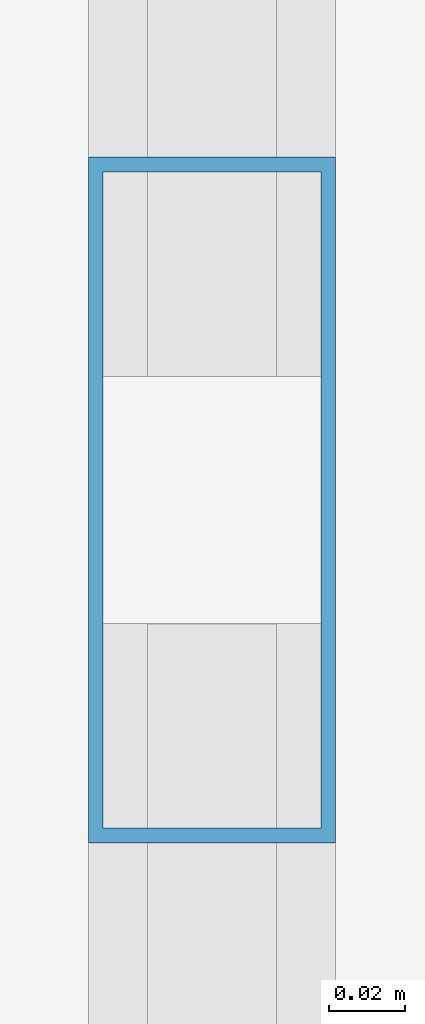
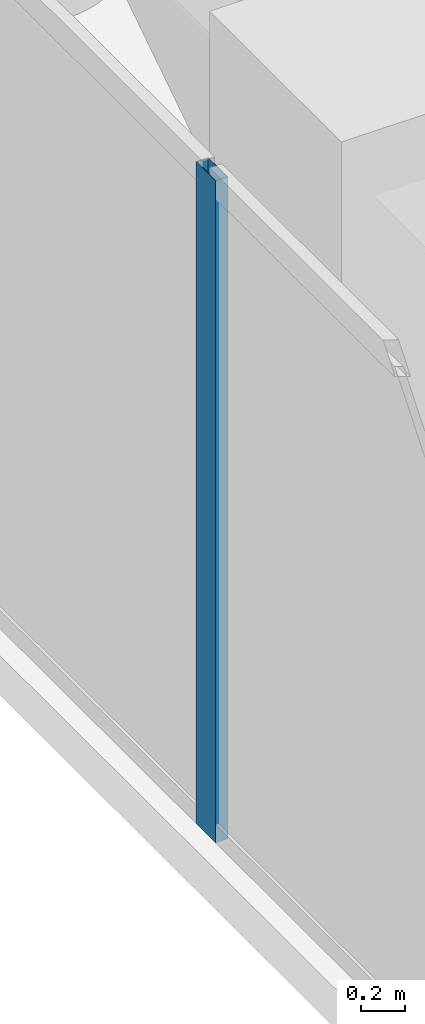
# One storey, part 6 of 21: 1 member, 1 element without a shape of its own.
"""IFC4 building model written with IfcOpenShell, lengths in metres."""

from ifc_helpers import new_model, si_unit, direction, frame, origin, origin_2d, place, context, subcontext, project, spatial, hollow_rectangle, extrude, material, layer, layer_set, material_profile, profile_set, type_object, element, aggregate, save


model = new_model("IFC4")

# Units and contexts
model_context = context("Model", 3, precision=1e-05, world=origin(), true_north=direction((0.0, 1.0)))
body_context = subcontext(model_context, "Body", "Model", "MODEL_VIEW")
ifc_project = project(units=[si_unit("LENGTHUNIT", "METRE"), si_unit("AREAUNIT", "SQUARE_METRE"), si_unit("VOLUMEUNIT", "CUBIC_METRE"), si_unit("PLANEANGLEUNIT", "RADIAN"), si_unit("MASSUNIT", "GRAM", prefix="KILO")], contexts=[model_context])

# Site, building, storey
site_placement = place(None, origin())
site = spatial("IfcSite", under=ifc_project, at=site_placement, CompositionType="ELEMENT")
building_placement = place(site_placement, origin())
building = spatial("IfcBuilding", under=site, at=building_placement, Name="Kiyonajd Concourse Tower", CompositionType="ELEMENT")
storey_placement = place(building_placement, frame((0.0, 0.0, 219.300048828125)))
storey = spatial("IfcBuildingStorey", under=building, at=storey_placement, Name="L55", CompositionType="ELEMENT", Elevation=219.300048828125)

# Curtain wall, member
ifc_material = material(Name="Thermally Broken Anodised Aluminium", Category="aluminium")
ifc_layer = layer(ifc_material, 0.179931640625)
ifc_layer_set = layer_set([ifc_layer], Name="Thermally Broken Anodised Aluminium")
curtain_wall_type = type_object("IfcCurtainWallType", Name="CW-SYS-04", PredefinedType="NOTDEFINED", material=ifc_layer_set)
curtain_wall_placement = place(storey_placement, origin())
curtain_wall = element("IfcCurtainWall", 1, at=curtain_wall_placement, inside=storey, type_object=curtain_wall_type, Name="L55 Unitised Curtain Wall CW4", PredefinedType="NOTDEFINED")
ifc_material_profile = material_profile(ifc_material, hollow_rectangle(XDim=0.06494140625, YDim=0.179931640625, WallThickness=0.00390625, at=origin_2d()), Name="MULL-65x180")
ifc_profile_set = profile_set([ifc_material_profile], Name="Thermally Broken Anodised Aluminium")
member_type = type_object("IfcMemberType", Name="MB-CW-MULL1", PredefinedType="MULLION", material=ifc_profile_set)
member_placement = place(storey_placement, frame((25.340087890625, 53.181396484375, 0.0), z_axis=(0.0, 0.0, 1.0), x_axis=(-1.0, 0.0, 0.0)))
member = element("IfcMember", 2, at=member_placement, type_object=member_type, Name="CW4 mullion 6", PredefinedType="MULLION", context=body_context, shape_type="SweptSolid", body=[
    extrude(hollow_rectangle(XDim=0.06494140625, YDim=0.179931640625, WallThickness=0.00390625, at=origin_2d()), origin(), (0.0, 0.0, 1.0), 3.679931640625),
])
aggregate(curtain_wall, [member])

save(model, "model.ifc")
